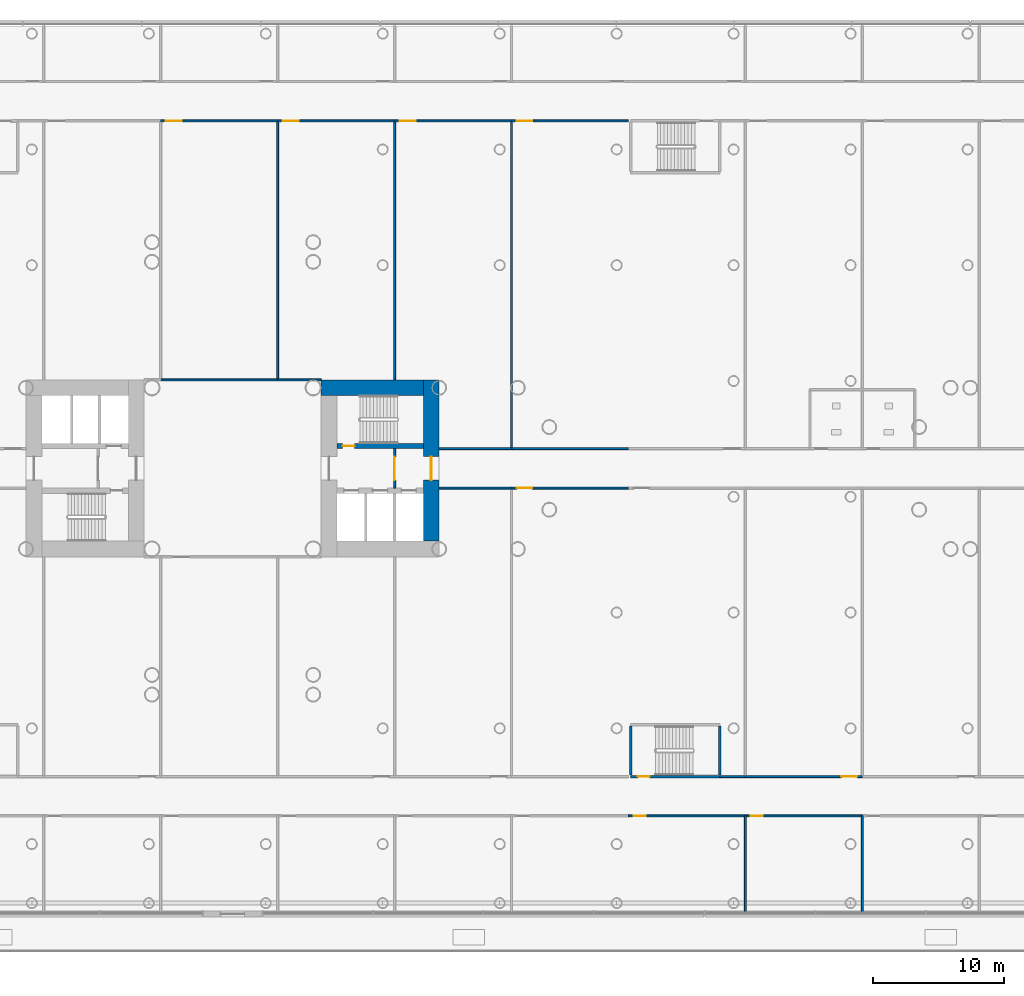
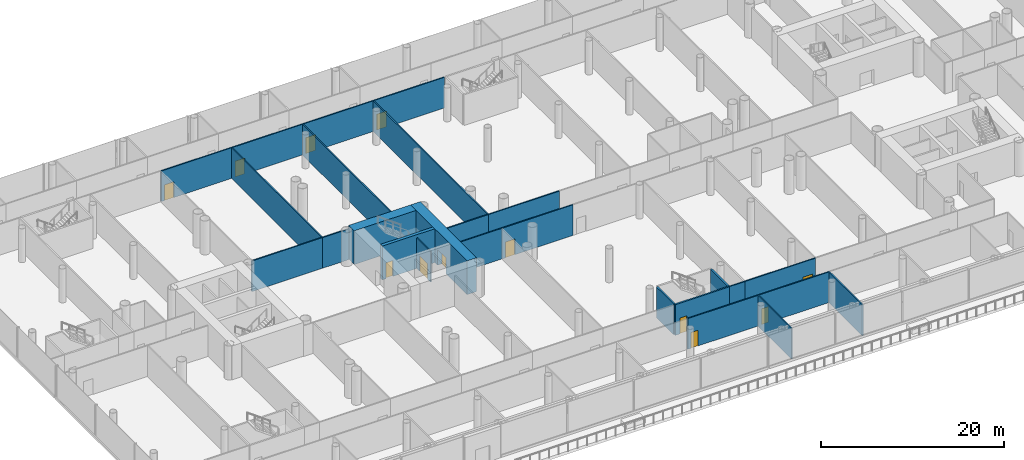
# One storey, part 19 of 51: 26 walls, 12 doors, 12 openings.
"""IFC4 building model written with IfcOpenShell, lengths in metres."""

from ifc_helpers import new_model, si_unit, direction, frame, frame_2d, origin, place, context, subcontext, project, spatial, rectangle, extrude, material, layer, layer_set, type_object, element, fill, save


model = new_model("IFC4")

# Units and contexts
model_context = context("Model", 3, precision=1e-05, world=origin(), true_north=direction((0.0, 1.0)))
body_context = subcontext(model_context, "Body", "Model", "MODEL_VIEW")
ifc_project = project(units=[si_unit("LENGTHUNIT", "METRE"), si_unit("AREAUNIT", "SQUARE_METRE"), si_unit("VOLUMEUNIT", "CUBIC_METRE"), si_unit("PLANEANGLEUNIT", "RADIAN"), si_unit("MASSUNIT", "GRAM", prefix="KILO")], contexts=[model_context])

# Site, building, storey
site_placement = place(None, origin())
site = spatial("IfcSite", under=ifc_project, at=site_placement, CompositionType="ELEMENT")
building_placement = place(site_placement, origin())
building = spatial("IfcBuilding", under=site, at=building_placement, Name="Ipe Terrace Towers", CompositionType="ELEMENT")
storey_placement = place(building_placement, frame((0.0, 0.0, 15.5)))
storey = spatial("IfcBuildingStorey", under=building, at=storey_placement, Name="L03", CompositionType="ELEMENT", Elevation=15.5)

# Wall, opening, door
ifc_material_1 = material(Name="Gypsum board partition", Category="plasterboard")
ifc_layer_1 = layer(ifc_material_1, 0.14990234375)
ifc_layer_set_1 = layer_set([ifc_layer_1], Name="Gypsum board partition 150 mm")
wall_type_1 = type_object("IfcWallType", Name="Gypsum board partition 150 mm", PredefinedType="PARTITIONING", material=ifc_layer_set_1)
wall_1_placement = place(storey_placement, frame((-23.64990234375, -1.5, 0.0), z_axis=(0.0, 0.0, 1.0), x_axis=(0.0, 1.0, 0.0)))
wall_1 = element("IfcWall", 1, at=wall_1_placement, inside=storey, type_object=wall_type_1, Name="Gypsum board partition T1 L03 t1c1-lobby-wall", PredefinedType="PARTITIONING", context=body_context, shape_type="SweptSolid", body=[
    extrude(rectangle(XDim=3.0, YDim=0.14990234375, at=frame_2d((1.5, 0.0))), origin(), (0.0, 0.0, 1.0), 4.080078125),
])
opening_1_placement = place(wall_1_placement, frame((0.60009765625, 0.0, 0.0)))
opening_1 = element("IfcOpeningElement", 2, at=opening_1_placement, cuts=wall_1, Name="Opening T1C1-VD", PredefinedType="OPENING", context=body_context, shape_type="SweptSolid", body=[
    extrude(rectangle(XDim=1.800048828125, YDim=2.10009765625, at=frame_2d((0.89990234375, 1.050048828125))), frame((0.0, 0.0849609375, 0.0), z_axis=(0.0, -1.0, 0.0), x_axis=(1.0, 0.0, 0.0)), (0.0, 0.0, 1.0), 0.169921875),
])
ifc_material_2 = material(Name="Fire-rated timber door leaf", Category="wood")
door_type_1 = type_object("IfcDoorType", Name="Lobby door 1800 x 2100 FD60", OperationType="NOTDEFINED", PredefinedType="DOOR", material=ifc_material_2)
door_1_placement = place(opening_1_placement, origin())
door_1 = element("IfcDoor", 3, at=door_1_placement, inside=storey, type_object=door_type_1, Name="Lobby door T1C1-VD", OperationType="SINGLE_SWING_LEFT", OverallHeight=2.10009765625, OverallWidth=1.800048828125, PredefinedType="DOOR", context=body_context, shape_type="SweptSolid", body=[
    extrude(rectangle(XDim=1.800048828125, YDim=2.10009765625, at=frame_2d((0.89990234375, 1.050048828125))), frame((0.0, 0.02490234375, 0.0), z_axis=(0.0, -1.0, 0.0), x_axis=(1.0, 0.0, 0.0)), (0.0, 0.0, 1.0), 0.050048828125),
])
fill(opening_1, door_1)

wall_2_placement = place(storey_placement, frame((-41.489990234375, 26.5, 0.0), z_axis=(0.0, 0.0, 1.0), x_axis=(1.0, 0.0, 0.0)))
wall_2 = element("IfcWall", 4, at=wall_2_placement, inside=storey, type_object=wall_type_1, Name="Gypsum board partition T1 L03 pd-r14-w36", PredefinedType="PARTITIONING", context=body_context, shape_type="SweptSolid", body=[
    extrude(rectangle(XDim=8.919921875, YDim=0.14990234375, at=frame_2d((4.4599609375, 0.0))), origin(), (0.0, 0.0, 1.0), 4.080078125),
])
opening_2_placement = place(wall_2_placement, frame((0.39990234375, 0.0, 0.0)))
opening_2 = element("IfcOpeningElement", 5, at=opening_2_placement, cuts=wall_2, Name="Opening PD-L03-r14", PredefinedType="OPENING", context=body_context, shape_type="SweptSolid", body=[
    extrude(rectangle(XDim=1.199951171875, YDim=2.10009765625, at=frame_2d((0.60009765625, 1.050048828125))), frame((0.0, 0.0849609375, 0.0), z_axis=(0.0, -1.0, 0.0), x_axis=(1.0, 0.0, 0.0)), (0.0, 0.0, 1.0), 0.169921875),
])
ifc_material_3 = material(Name="Fire-rated timber door leaf", Category="wood")
door_type_2 = type_object("IfcDoorType", Name="Lounge door 1200 x 2100 FD30S", OperationType="NOTDEFINED", PredefinedType="DOOR", material=ifc_material_3)
door_2_placement = place(opening_2_placement, origin())
door_2 = element("IfcDoor", 6, at=door_2_placement, inside=storey, type_object=door_type_2, Name="Lounge door PD-L03-r14", OperationType="SINGLE_SWING_RIGHT", OverallHeight=2.10009765625, OverallWidth=1.199951171875, PredefinedType="DOOR", context=body_context, shape_type="SweptSolid", body=[
    extrude(rectangle(XDim=1.199951171875, YDim=2.10009765625, at=frame_2d((0.60009765625, 1.050048828125))), frame((0.0, 0.02490234375, 0.0), z_axis=(0.0, -1.0, 0.0), x_axis=(1.0, 0.0, 0.0)), (0.0, 0.0, 1.0), 0.050048828125),
])
fill(opening_2, door_2)

# Walls
wall_3_placement = place(storey_placement, frame((-32.570068359375, 6.75, 0.0), z_axis=(0.0, 0.0, 1.0), x_axis=(-1.0, 0.0, 0.0)))
element("IfcWall", 7, at=wall_3_placement, inside=storey, type_object=wall_type_1, Name="Gypsum board partition T1 L03 pd-r14-w37", PredefinedType="PARTITIONING", context=body_context, shape_type="SweptSolid", body=[
    extrude(rectangle(XDim=8.919921875, YDim=0.14990234375, at=frame_2d((4.4599609375, 0.0))), origin(), (0.0, 0.0, 1.0), 4.080078125),
])
wall_4_placement = place(storey_placement, frame((-32.570068359375, 26.5, 0.0), z_axis=(0.0, 0.0, 1.0), x_axis=(0.0, -1.0, 0.0)))
element("IfcWall", 8, at=wall_4_placement, inside=storey, type_object=wall_type_1, Name="Gypsum board partition T1 L03 pd-r14-r18-w38", PredefinedType="PARTITIONING", context=body_context, shape_type="SweptSolid", body=[
    extrude(rectangle(XDim=19.75, YDim=0.14990234375, at=frame_2d((9.875, 0.0))), origin(), (0.0, 0.0, 1.0), 4.080078125),
])
wall_5_placement = place(storey_placement, frame((-29.25, 6.75, 0.0), z_axis=(0.0, 0.0, 1.0), x_axis=(-1.0, 0.0, 0.0)))
element("IfcWall", 9, at=wall_5_placement, inside=storey, type_object=wall_type_1, Name="Gypsum board partition T1 L03 pd-r18-w46", PredefinedType="PARTITIONING", context=body_context, shape_type="SweptSolid", body=[
    extrude(rectangle(XDim=3.320068359375, YDim=0.14990234375, at=frame_2d((1.66015625, 0.0))), origin(), (0.0, 0.0, 1.0), 4.080078125),
])

# Wall, opening, door
wall_6_placement = place(storey_placement, frame((-32.570068359375, 26.5, 0.0), z_axis=(0.0, 0.0, 1.0), x_axis=(1.0, 0.0, 0.0)))
wall_6 = element("IfcWall", 10, at=wall_6_placement, inside=storey, type_object=wall_type_1, Name="Gypsum board partition T1 L03 pd-r18-w47", PredefinedType="PARTITIONING", context=body_context, shape_type="SweptSolid", body=[
    extrude(rectangle(XDim=8.920166015625, YDim=0.14990234375, at=frame_2d((4.4599609375, 0.0))), origin(), (0.0, 0.0, 1.0), 4.080078125),
])
opening_3_placement = place(wall_6_placement, frame((0.39990234375, 0.0, 0.0)))
opening_3 = element("IfcOpeningElement", 11, at=opening_3_placement, cuts=wall_6, Name="Opening PD-L03-r18", PredefinedType="OPENING", context=body_context, shape_type="SweptSolid", body=[
    extrude(rectangle(XDim=1.199951171875, YDim=2.10009765625, at=frame_2d((0.60009765625, 1.050048828125))), frame((0.0, 0.0849609375, 0.0), z_axis=(0.0, -1.0, 0.0), x_axis=(1.0, 0.0, 0.0)), (0.0, 0.0, 1.0), 0.169921875),
])
door_3_placement = place(opening_3_placement, origin())
door_3 = element("IfcDoor", 12, at=door_3_placement, inside=storey, type_object=door_type_2, Name="Lounge door PD-L03-r18", OperationType="SINGLE_SWING_RIGHT", OverallHeight=2.10009765625, OverallWidth=1.199951171875, PredefinedType="DOOR", context=body_context, shape_type="SweptSolid", body=[
    extrude(rectangle(XDim=1.199951171875, YDim=2.10009765625, at=frame_2d((0.60009765625, 1.050048828125))), frame((0.0, 0.02490234375, 0.0), z_axis=(0.0, -1.0, 0.0), x_axis=(1.0, 0.0, 0.0)), (0.0, 0.0, 1.0), 0.050048828125),
])
fill(opening_3, door_3)

# Walls
wall_7_placement = place(storey_placement, frame((-23.64990234375, 26.5, 0.0), z_axis=(0.0, 0.0, 1.0), x_axis=(0.0, -1.0, 0.0)))
element("IfcWall", 13, at=wall_7_placement, inside=storey, type_object=wall_type_1, Name="Gypsum board partition T1 L03 pd-r18-r23-w48", PredefinedType="PARTITIONING", context=body_context, shape_type="SweptSolid", body=[
    extrude(rectangle(XDim=19.75, YDim=0.14990234375, at=frame_2d((9.875, 0.0))), origin(), (0.0, 0.0, 1.0), 4.080078125),
])
wall_8_placement = place(storey_placement, frame((-20.25, -1.5, 0.0), z_axis=(0.0, 0.0, 1.0), x_axis=(1.0, 0.0, 0.0)))
element("IfcWall", 14, at=wall_8_placement, inside=storey, type_object=wall_type_1, Name="Gypsum board partition T1 L03 pd-r22-w55", PredefinedType="PARTITIONING", context=body_context, shape_type="SweptSolid", body=[
    extrude(rectangle(XDim=5.52001953125, YDim=0.14990234375, at=frame_2d((2.760009765625, 0.0))), origin(), (0.0, 0.0, 1.0), 4.080078125),
])

# Wall, opening, door
wall_9_placement = place(storey_placement, frame((-23.64990234375, 26.5, 0.0), z_axis=(0.0, 0.0, 1.0), x_axis=(1.0, 0.0, 0.0)))
wall_9 = element("IfcWall", 15, at=wall_9_placement, inside=storey, type_object=wall_type_1, Name="Gypsum board partition T1 L03 pd-r23-w58", PredefinedType="PARTITIONING", context=body_context, shape_type="SweptSolid", body=[
    extrude(rectangle(XDim=8.919921875, YDim=0.14990234375, at=frame_2d((4.4599609375, 0.0))), origin(), (0.0, 0.0, 1.0), 4.080078125),
])
opening_4_placement = place(wall_9_placement, frame((0.39990234375, 0.0, 0.0)))
opening_4 = element("IfcOpeningElement", 16, at=opening_4_placement, cuts=wall_9, Name="Opening PD-L03-r23", PredefinedType="OPENING", context=body_context, shape_type="SweptSolid", body=[
    extrude(rectangle(XDim=1.199951171875, YDim=2.10009765625, at=frame_2d((0.60009765625, 1.050048828125))), frame((0.0, 0.0849609375, 0.0), z_axis=(0.0, -1.0, 0.0), x_axis=(1.0, 0.0, 0.0)), (0.0, 0.0, 1.0), 0.169921875),
])
door_4_placement = place(opening_4_placement, origin())
door_4 = element("IfcDoor", 17, at=door_4_placement, inside=storey, type_object=door_type_2, Name="Lounge door PD-L03-r23", OperationType="SINGLE_SWING_RIGHT", OverallHeight=2.10009765625, OverallWidth=1.199951171875, PredefinedType="DOOR", context=body_context, shape_type="SweptSolid", body=[
    extrude(rectangle(XDim=1.199951171875, YDim=2.10009765625, at=frame_2d((0.60009765625, 1.050048828125))), frame((0.0, 0.02490234375, 0.0), z_axis=(0.0, -1.0, 0.0), x_axis=(1.0, 0.0, 0.0)), (0.0, 0.0, 1.0), 0.050048828125),
])
fill(opening_4, door_4)

# Walls
wall_10_placement = place(storey_placement, frame((-14.72998046875, 1.5, 0.0), z_axis=(0.0, 0.0, 1.0), x_axis=(-1.0, 0.0, 0.0)))
element("IfcWall", 18, at=wall_10_placement, inside=storey, type_object=wall_type_1, Name="Gypsum board partition T1 L03 pd-r23-w59", PredefinedType="PARTITIONING", context=body_context, shape_type="SweptSolid", body=[
    extrude(rectangle(XDim=5.52001953125, YDim=0.14990234375, at=frame_2d((2.760009765625, 0.0))), origin(), (0.0, 0.0, 1.0), 4.080078125),
])
wall_11_placement = place(storey_placement, frame((-14.72998046875, 26.5, 0.0), z_axis=(0.0, 0.0, 1.0), x_axis=(0.0, -1.0, 0.0)))
element("IfcWall", 19, at=wall_11_placement, inside=storey, type_object=wall_type_1, Name="Gypsum board partition T1 L03 pd-r23-r26-w60", PredefinedType="PARTITIONING", context=body_context, shape_type="SweptSolid", body=[
    extrude(rectangle(XDim=25.0, YDim=0.14990234375, at=frame_2d((12.5, 0.0))), origin(), (0.0, 0.0, 1.0), 4.080078125),
])

# Wall, opening, door
wall_12_placement = place(storey_placement, frame((-14.72998046875, -1.5, 0.0), z_axis=(0.0, 0.0, 1.0), x_axis=(1.0, 0.0, 0.0)))
wall_12 = element("IfcWall", 20, at=wall_12_placement, inside=storey, type_object=wall_type_1, Name="Gypsum board partition T1 L03 pd-r25-w62", PredefinedType="PARTITIONING", context=body_context, shape_type="SweptSolid", body=[
    extrude(rectangle(XDim=8.919921875, YDim=0.14990234375, at=frame_2d((4.4599609375, 0.0))), origin(), (0.0, 0.0, 1.0), 4.080078125),
])
opening_5_placement = place(wall_12_placement, frame((0.39990234375, 0.0, 0.0)))
opening_5 = element("IfcOpeningElement", 21, at=opening_5_placement, cuts=wall_12, Name="Opening PD-L03-r25", PredefinedType="OPENING", context=body_context, shape_type="SweptSolid", body=[
    extrude(rectangle(XDim=1.199951171875, YDim=2.10009765625, at=frame_2d((0.60009765625, 1.050048828125))), frame((0.0, 0.0849609375, 0.0), z_axis=(0.0, -1.0, 0.0), x_axis=(1.0, 0.0, 0.0)), (0.0, 0.0, 1.0), 0.169921875),
])
door_5_placement = place(opening_5_placement, origin())
door_5 = element("IfcDoor", 22, at=door_5_placement, inside=storey, type_object=door_type_2, Name="Lounge door PD-L03-r25", OperationType="SINGLE_SWING_RIGHT", OverallHeight=2.10009765625, OverallWidth=1.199951171875, PredefinedType="DOOR", context=body_context, shape_type="SweptSolid", body=[
    extrude(rectangle(XDim=1.199951171875, YDim=2.10009765625, at=frame_2d((0.60009765625, 1.050048828125))), frame((0.0, 0.02490234375, 0.0), z_axis=(0.0, -1.0, 0.0), x_axis=(1.0, 0.0, 0.0)), (0.0, 0.0, 1.0), 0.050048828125),
])
fill(opening_5, door_5)

wall_13_placement = place(storey_placement, frame((-14.72998046875, 26.5, 0.0), z_axis=(0.0, 0.0, 1.0), x_axis=(1.0, 0.0, 0.0)))
wall_13 = element("IfcWall", 23, at=wall_13_placement, inside=storey, type_object=wall_type_1, Name="Gypsum board partition T1 L03 pd-r26-w64", PredefinedType="PARTITIONING", context=body_context, shape_type="SweptSolid", body=[
    extrude(rectangle(XDim=8.919921875, YDim=0.14990234375, at=frame_2d((4.4599609375, 0.0))), origin(), (0.0, 0.0, 1.0), 4.080078125),
])
opening_6_placement = place(wall_13_placement, frame((0.39990234375, 0.0, 0.0)))
opening_6 = element("IfcOpeningElement", 24, at=opening_6_placement, cuts=wall_13, Name="Opening PD-L03-r26", PredefinedType="OPENING", context=body_context, shape_type="SweptSolid", body=[
    extrude(rectangle(XDim=1.199951171875, YDim=2.10009765625, at=frame_2d((0.60009765625, 1.050048828125))), frame((0.0, 0.0849609375, 0.0), z_axis=(0.0, -1.0, 0.0), x_axis=(1.0, 0.0, 0.0)), (0.0, 0.0, 1.0), 0.169921875),
])
door_6_placement = place(opening_6_placement, origin())
door_6 = element("IfcDoor", 25, at=door_6_placement, inside=storey, type_object=door_type_2, Name="Lounge door PD-L03-r26", OperationType="SINGLE_SWING_RIGHT", OverallHeight=2.10009765625, OverallWidth=1.199951171875, PredefinedType="DOOR", context=body_context, shape_type="SweptSolid", body=[
    extrude(rectangle(XDim=1.199951171875, YDim=2.10009765625, at=frame_2d((0.60009765625, 1.050048828125))), frame((0.0, 0.02490234375, 0.0), z_axis=(0.0, -1.0, 0.0), x_axis=(1.0, 0.0, 0.0)), (0.0, 0.0, 1.0), 0.050048828125),
])
fill(opening_6, door_6)

# Wall
wall_14_placement = place(storey_placement, frame((-5.81005859375, 1.5, 0.0), z_axis=(0.0, 0.0, 1.0), x_axis=(-1.0, 0.0, 0.0)))
element("IfcWall", 26, at=wall_14_placement, inside=storey, type_object=wall_type_1, Name="Gypsum board partition T1 L03 pd-r26-w65", PredefinedType="PARTITIONING", context=body_context, shape_type="SweptSolid", body=[
    extrude(rectangle(XDim=8.919921875, YDim=0.14990234375, at=frame_2d((4.4599609375, 0.0))), origin(), (0.0, 0.0, 1.0), 4.080078125),
])

# Wall, opening, door
wall_15_placement = place(storey_placement, frame((-5.81005859375, -26.5, 0.0), z_axis=(0.0, 0.0, 1.0), x_axis=(1.0, 0.0, 0.0)))
wall_15 = element("IfcWall", 27, at=wall_15_placement, inside=storey, type_object=wall_type_1, Name="Gypsum board partition T2 L03 pd-r28-w0", PredefinedType="PARTITIONING", context=body_context, shape_type="SweptSolid", body=[
    extrude(rectangle(XDim=8.920166015625, YDim=0.14990234375, at=frame_2d((4.4599609375, 0.0))), origin(), (0.0, 0.0, 1.0), 4.080078125),
])
opening_7_placement = place(wall_15_placement, frame((0.39990234375, 0.0, 0.0)))
opening_7 = element("IfcOpeningElement", 28, at=opening_7_placement, cuts=wall_15, Name="Opening PD-L03-r28", PredefinedType="OPENING", context=body_context, shape_type="SweptSolid", body=[
    extrude(rectangle(XDim=0.89990234375, YDim=2.10009765625, at=frame_2d((0.449951171875, 1.050048828125))), frame((0.0, 0.0849609375, 0.0), z_axis=(0.0, -1.0, 0.0), x_axis=(1.0, 0.0, 0.0)), (0.0, 0.0, 1.0), 0.169921875),
])
ifc_material_4 = material(Name="Fire-rated timber door leaf", Category="wood")
door_type_3 = type_object("IfcDoorType", Name="Lounge door 900 x 2100 FD30S", OperationType="NOTDEFINED", PredefinedType="DOOR", material=ifc_material_4)
door_7_placement = place(opening_7_placement, origin())
door_7 = element("IfcDoor", 29, at=door_7_placement, inside=storey, type_object=door_type_3, Name="Lounge door PD-L03-r28", OperationType="SINGLE_SWING_RIGHT", OverallHeight=2.10009765625, OverallWidth=0.89990234375, PredefinedType="DOOR", context=body_context, shape_type="SweptSolid", body=[
    extrude(rectangle(XDim=0.89990234375, YDim=2.10009765625, at=frame_2d((0.449951171875, 1.050048828125))), frame((0.0, 0.02490234375, 0.0), z_axis=(0.0, -1.0, 0.0), x_axis=(1.0, 0.0, 0.0)), (0.0, 0.0, 1.0), 0.050048828125),
])
fill(opening_7, door_7)

# Walls
wall_16_placement = place(storey_placement, frame((3.110107421875, -26.5, 0.0), z_axis=(0.0, 0.0, 1.0), x_axis=(0.0, -1.0, 0.0)))
element("IfcWall", 30, at=wall_16_placement, inside=storey, type_object=wall_type_1, Name="Gypsum board partition T2 L03 pd-r28-r33-w1", PredefinedType="PARTITIONING", context=body_context, shape_type="SweptSolid", body=[
    extrude(rectangle(XDim=7.35009765625, YDim=0.14990234375, at=frame_2d((3.675048828125, 0.0))), origin(), (0.0, 0.0, 1.0), 4.080078125),
])
wall_17_placement = place(storey_placement, frame((3.110107421875, -23.5, 0.0), z_axis=(0.0, 0.0, 1.0), x_axis=(-1.0, 0.0, 0.0)))
element("IfcWall", 31, at=wall_17_placement, inside=storey, type_object=wall_type_1, Name="Gypsum board partition T2 L03 pd-r30-w5", PredefinedType="PARTITIONING", context=body_context, shape_type="SweptSolid", body=[
    extrude(rectangle(XDim=1.960205078125, YDim=0.14990234375, at=frame_2d((0.97998046875, 0.0))), origin(), (0.0, 0.0, 1.0), 4.080078125),
])

# Wall, opening, door
wall_18_placement = place(storey_placement, frame((3.110107421875, -26.5, 0.0), z_axis=(0.0, 0.0, 1.0), x_axis=(1.0, 0.0, 0.0)))
wall_18 = element("IfcWall", 32, at=wall_18_placement, inside=storey, type_object=wall_type_1, Name="Gypsum board partition T2 L03 pd-r33-w13", PredefinedType="PARTITIONING", context=body_context, shape_type="SweptSolid", body=[
    extrude(rectangle(XDim=8.919921875, YDim=0.14990234375, at=frame_2d((4.4599609375, 0.0))), origin(), (0.0, 0.0, 1.0), 4.080078125),
])
opening_8_placement = place(wall_18_placement, frame((0.39990234375, 0.0, 0.0)))
opening_8 = element("IfcOpeningElement", 33, at=opening_8_placement, cuts=wall_18, Name="Opening PD-L03-r33", PredefinedType="OPENING", context=body_context, shape_type="SweptSolid", body=[
    extrude(rectangle(XDim=0.89990234375, YDim=2.10009765625, at=frame_2d((0.449951171875, 1.050048828125))), frame((0.0, 0.0849609375, 0.0), z_axis=(0.0, -1.0, 0.0), x_axis=(1.0, 0.0, 0.0)), (0.0, 0.0, 1.0), 0.169921875),
])
door_8_placement = place(opening_8_placement, origin())
door_8 = element("IfcDoor", 34, at=door_8_placement, inside=storey, type_object=door_type_3, Name="Lounge door PD-L03-r33", OperationType="SINGLE_SWING_RIGHT", OverallHeight=2.10009765625, OverallWidth=0.89990234375, PredefinedType="DOOR", context=body_context, shape_type="SweptSolid", body=[
    extrude(rectangle(XDim=0.89990234375, YDim=2.10009765625, at=frame_2d((0.449951171875, 1.050048828125))), frame((0.0, 0.02490234375, 0.0), z_axis=(0.0, -1.0, 0.0), x_axis=(1.0, 0.0, 0.0)), (0.0, 0.0, 1.0), 0.050048828125),
])
fill(opening_8, door_8)

# Wall
wall_19_placement = place(storey_placement, frame((12.030029296875, -26.5, 0.0), z_axis=(0.0, 0.0, 1.0), x_axis=(0.0, -1.0, 0.0)))
element("IfcWall", 35, at=wall_19_placement, inside=storey, type_object=wall_type_1, Name="Gypsum board partition T2 L03 pd-r33-r36-w14", PredefinedType="PARTITIONING", context=body_context, shape_type="SweptSolid", body=[
    extrude(rectangle(XDim=7.35009765625, YDim=0.14990234375, at=frame_2d((3.675048828125, 0.0))), origin(), (0.0, 0.0, 1.0), 4.080078125),
])

# Wall, opening, door
wall_20_placement = place(storey_placement, frame((12.030029296875, -23.5, 0.0), z_axis=(0.0, 0.0, 1.0), x_axis=(-1.0, 0.0, 0.0)))
wall_20 = element("IfcWall", 36, at=wall_20_placement, inside=storey, type_object=wall_type_1, Name="Gypsum board partition T2 L03 pd-r34-w15", PredefinedType="PARTITIONING", context=body_context, shape_type="SweptSolid", body=[
    extrude(rectangle(XDim=8.919921875, YDim=0.14990234375, at=frame_2d((4.4599609375, 0.0))), origin(), (0.0, 0.0, 1.0), 4.080078125),
])
opening_9_placement = place(wall_20_placement, frame((0.39990234375, 0.0, 0.0)))
opening_9 = element("IfcOpeningElement", 37, at=opening_9_placement, cuts=wall_20, Name="Opening PD-L03-r34", PredefinedType="OPENING", context=body_context, shape_type="SweptSolid", body=[
    extrude(rectangle(XDim=1.199951171875, YDim=2.10009765625, at=frame_2d((0.60009765625, 1.050048828125))), frame((0.0, 0.0849609375, 0.0), z_axis=(0.0, -1.0, 0.0), x_axis=(1.0, 0.0, 0.0)), (0.0, 0.0, 1.0), 0.169921875),
])
door_9_placement = place(opening_9_placement, origin())
door_9 = element("IfcDoor", 38, at=door_9_placement, inside=storey, type_object=door_type_2, Name="Lounge door PD-L03-r34", OperationType="SINGLE_SWING_RIGHT", OverallHeight=2.10009765625, OverallWidth=1.199951171875, PredefinedType="DOOR", context=body_context, shape_type="SweptSolid", body=[
    extrude(rectangle(XDim=1.199951171875, YDim=2.10009765625, at=frame_2d((0.60009765625, 1.050048828125))), frame((0.0, 0.02490234375, 0.0), z_axis=(0.0, -1.0, 0.0), x_axis=(1.0, 0.0, 0.0)), (0.0, 0.0, 1.0), 0.050048828125),
])
fill(opening_9, door_9)

ifc_material_5 = material(Name="Concrete C60/75", Category="concrete")
ifc_layer_2 = layer(ifc_material_5, 1.199951171875)
ifc_layer_set_2 = layer_set([ifc_layer_2], Name="RW1200 CORE WALL 1200 C60-75")
wall_type_2 = type_object("IfcWallType", Name="RW1200 CORE WALL 1200 C60-75", PredefinedType="SHEAR", material=ifc_layer_set_2)
wall_21_placement = place(storey_placement, frame((-20.85009765625, -5.550048828125, 0.0), z_axis=(0.0, 0.0, 1.0), x_axis=(0.0, 1.0, 0.0)))
wall_21 = element("IfcWall", 39, at=wall_21_placement, inside=storey, type_object=wall_type_2, Name="Core wall T1-C1-P-W02", PredefinedType="SHEAR", context=body_context, shape_type="SweptSolid", body=[
    extrude(rectangle(XDim=12.300048828125, YDim=1.199951171875, at=frame_2d((6.14990234375, 0.0))), origin(), (0.0, 0.0, 1.0), 4.5),
])
opening_10_placement = place(wall_21_placement, frame((4.64990234375, 0.0, 0.0)))
opening_10 = element("IfcOpeningElement", 40, at=opening_10_placement, cuts=wall_21, Name="Opening T1C1-FD", PredefinedType="OPENING", context=body_context, shape_type="SweptSolid", body=[
    extrude(rectangle(XDim=1.800048828125, YDim=2.10009765625, at=frame_2d((0.89990234375, 1.050048828125))), frame((0.0, 0.60986328125, 0.0), z_axis=(0.0, -1.0, 0.0), x_axis=(1.0, 0.0, 0.0)), (0.0, 0.0, 1.0), 1.219970703125),
])
ifc_material_6 = material(Name="Fire-rated timber door leaf", Category="wood")
door_type_4 = type_object("IfcDoorType", Name="Fire door 1800 x 2100 FD30S", OperationType="NOTDEFINED", PredefinedType="DOOR", material=ifc_material_6)
door_10_placement = place(opening_10_placement, origin())
door_10 = element("IfcDoor", 41, at=door_10_placement, inside=storey, type_object=door_type_4, Name="Fire door T1C1-FD", OperationType="SINGLE_SWING_LEFT", OverallHeight=2.10009765625, OverallWidth=1.800048828125, PredefinedType="DOOR", context=body_context, shape_type="SweptSolid", body=[
    extrude(rectangle(XDim=1.800048828125, YDim=2.10009765625, at=frame_2d((0.89990234375, 1.050048828125))), frame((0.0, 0.02490234375, 0.0), z_axis=(0.0, -1.0, 0.0), x_axis=(1.0, 0.0, 0.0)), (0.0, 0.0, 1.0), 0.050048828125),
])
fill(opening_10, door_10)

# Wall
wall_22_placement = place(storey_placement, frame((-21.449951171875, 6.14990234375, 0.0), z_axis=(0.0, 0.0, 1.0), x_axis=(-1.0, 0.0, 0.0)))
element("IfcWall", 42, at=wall_22_placement, inside=storey, type_object=wall_type_2, Name="Core wall T1-C1-P-W03", PredefinedType="SHEAR", context=body_context, shape_type="SweptSolid", body=[
    extrude(rectangle(XDim=7.800048828125, YDim=1.199951171875, at=frame_2d((3.89990234375, 0.0))), origin(), (0.0, 0.0, 1.0), 4.5),
])

# Wall, opening, door
ifc_material_7 = material(Name="Concrete C40/50", Category="concrete")
ifc_layer_3 = layer(ifc_material_7, 0.199951171875)
ifc_layer_set_3 = layer_set([ifc_layer_3], Name="RW200 PODIUM STAIR SHAFT WALL 200 C40-50")
wall_type_3 = type_object("IfcWallType", Name="RW200 PODIUM STAIR SHAFT WALL 200 C40-50", PredefinedType="SHEAR", material=ifc_layer_set_3)
wall_23_placement = place(storey_placement, frame((-5.64990234375, -23.5, 0.0), z_axis=(0.0, 0.0, 1.0), x_axis=(1.0, 0.0, 0.0)))
wall_23 = element("IfcWall", 43, at=wall_23_placement, inside=storey, type_object=wall_type_3, Name="Stair shaft wall T1 L03 ps5-c", PredefinedType="SHEAR", context=body_context, shape_type="SweptSolid", body=[
    extrude(rectangle(XDim=6.7998046875, YDim=0.199951171875, at=frame_2d((3.39990234375, 0.0))), origin(), (0.0, 0.0, 1.0), 4.080078125),
])
opening_11_placement = place(wall_23_placement, frame((0.550048828125, 0.0, 0.0)))
opening_11 = element("IfcOpeningElement", 44, at=opening_11_placement, cuts=wall_23, Name="Opening PS5-SD", PredefinedType="OPENING", context=body_context, shape_type="SweptSolid", body=[
    extrude(rectangle(XDim=0.89990234375, YDim=2.10009765625, at=frame_2d((0.449951171875, 1.050048828125))), frame((0.0, 0.10986328125, 0.0), z_axis=(0.0, -1.0, 0.0), x_axis=(1.0, 0.0, 0.0)), (0.0, 0.0, 1.0), 0.219970703125),
])
ifc_material_8 = material(Name="Fire-rated timber door leaf", Category="wood")
door_type_5 = type_object("IfcDoorType", Name="Stair door 900 x 2100 FD60", OperationType="NOTDEFINED", PredefinedType="DOOR", material=ifc_material_8)
door_11_placement = place(opening_11_placement, origin())
door_11 = element("IfcDoor", 45, at=door_11_placement, inside=storey, type_object=door_type_5, Name="Stair door PS5-SD", OperationType="SINGLE_SWING_RIGHT", OverallHeight=2.10009765625, OverallWidth=0.89990234375, PredefinedType="DOOR", context=body_context, shape_type="SweptSolid", body=[
    extrude(rectangle(XDim=0.89990234375, YDim=2.10009765625, at=frame_2d((0.449951171875, 1.050048828125))), frame((0.0, 0.02490234375, 0.0), z_axis=(0.0, -1.0, 0.0), x_axis=(1.0, 0.0, 0.0)), (0.0, 0.0, 1.0), 0.050048828125),
])
fill(opening_11, door_11)

# Walls
for number, where, z_axis, x_axis, name in (
    (46, (-5.64990234375, -23.39990234375, 0.0), (0.0, 0.0, 1.0), (0.0, 1.0, 0.0), "Stair shaft wall T1 L03 ps5-w"),
    (47, (1.14990234375, -23.39990234375, 0.0), (0.0, 0.0, 1.0), (0.0, 1.0, 0.0), "Stair shaft wall T1 L03 ps5-e"),
):
    element("IfcWall", number, at=place(storey_placement, frame(where, z_axis=z_axis, x_axis=x_axis)), inside=storey, type_object=wall_type_3, Name=name, PredefinedType="SHEAR", context=body_context, shape_type="SweptSolid", body=[
        extrude(rectangle(XDim=3.75, YDim=0.199951171875, at=frame_2d((1.875, 0.0))), origin(), (0.0, 0.0, 1.0), 4.080078125),
    ])

# Wall, opening, door
ifc_material_9 = material(Name="Concrete C60/75", Category="concrete")
ifc_layer_4 = layer(ifc_material_9, 0.39990234375)
ifc_layer_set_4 = layer_set([ifc_layer_4], Name="RW400 CORE SPINE WALL 400 C60-75")
wall_type_4 = type_object("IfcWallType", Name="RW400 CORE SPINE WALL 400 C60-75", PredefinedType="SHEAR", material=ifc_layer_set_4)
wall_24_placement = place(storey_placement, frame((-28.050048828125, 1.699951171875, 0.0), z_axis=(0.0, 0.0, 1.0), x_axis=(1.0, 0.0, 0.0)))
wall_24 = element("IfcWall", 48, at=wall_24_placement, inside=storey, type_object=wall_type_4, Name="Core spine wall T1-C1-P-SW2", PredefinedType="SHEAR", context=body_context, shape_type="SweptSolid", body=[
    extrude(rectangle(XDim=6.60009765625, YDim=0.39990234375, at=frame_2d((3.300048828125, 0.0))), origin(), (0.0, 0.0, 1.0), 4.5),
])
opening_12_placement = place(wall_24_placement, frame((0.449951171875, 0.0, 0.0)))
opening_12 = element("IfcOpeningElement", 49, at=opening_12_placement, cuts=wall_24, Name="Opening T1C1-SD", PredefinedType="OPENING", context=body_context, shape_type="SweptSolid", body=[
    extrude(rectangle(XDim=0.89990234375, YDim=2.10009765625, at=frame_2d((0.449951171875, 1.050048828125))), frame((0.0, 0.2099609375, 0.0), z_axis=(0.0, -1.0, 0.0), x_axis=(1.0, 0.0, 0.0)), (0.0, 0.0, 1.0), 0.419921875),
])
door_12_placement = place(opening_12_placement, origin())
door_12 = element("IfcDoor", 50, at=door_12_placement, inside=storey, type_object=door_type_5, Name="Stair door T1C1-SD", OperationType="SINGLE_SWING_LEFT", OverallHeight=2.10009765625, OverallWidth=0.89990234375, PredefinedType="DOOR", context=body_context, shape_type="SweptSolid", body=[
    extrude(rectangle(XDim=0.89990234375, YDim=2.10009765625, at=frame_2d((0.449951171875, 1.050048828125))), frame((0.0, 0.02490234375, 0.0), z_axis=(0.0, -1.0, 0.0), x_axis=(1.0, 0.0, 0.0)), (0.0, 0.0, 1.0), 0.050048828125),
])
fill(opening_12, door_12)

save(model, "model.ifc")
